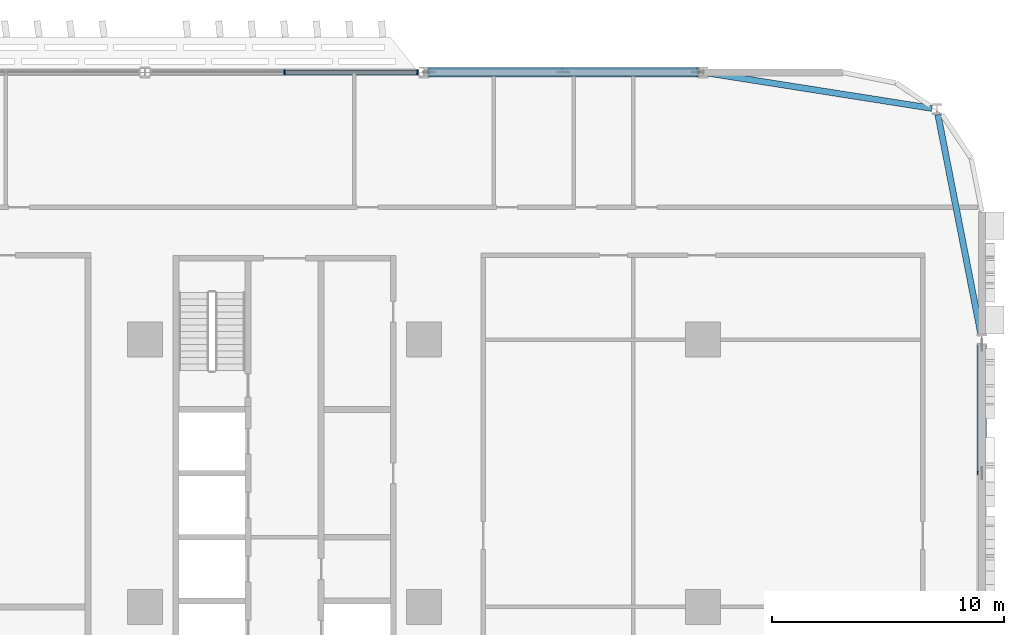
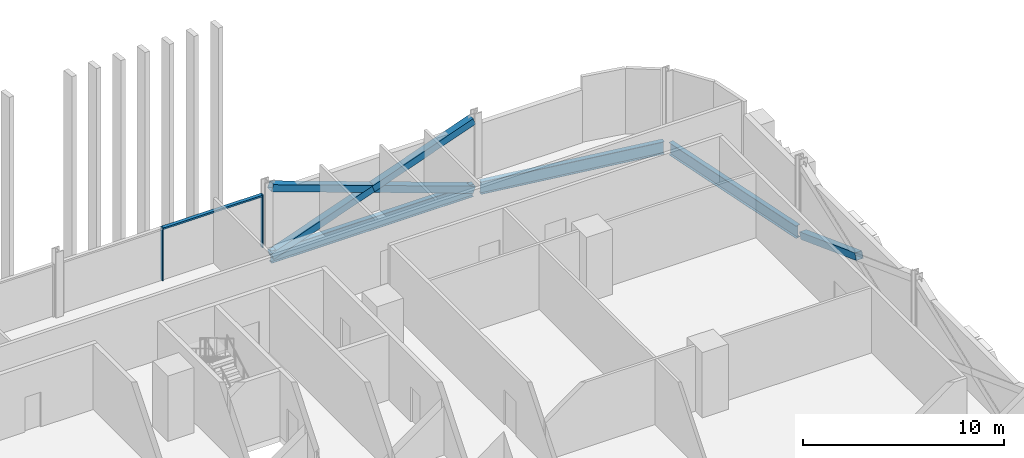
# One storey, part 10 of 29: 7 members, 3 beams, 1 element without a shape of its own.
"""IFC4 building model written with IfcOpenShell, lengths in metres."""

from ifc_helpers import new_model, si_unit, direction, frame, origin, origin_2d, place, context, subcontext, project, spatial, rectangle, hollow_rectangle, i_section, extrude, material, material_profile, profile_set, type_object, element, aggregate, save


model = new_model("IFC4")

# Units and contexts
model_context = context("Model", 3, precision=1e-05, world=origin(), true_north=direction((0.0, 1.0)))
body_context = subcontext(model_context, "Body", "Model", "MODEL_VIEW")
ifc_project = project(units=[si_unit("LENGTHUNIT", "METRE"), si_unit("AREAUNIT", "SQUARE_METRE"), si_unit("VOLUMEUNIT", "CUBIC_METRE"), si_unit("PLANEANGLEUNIT", "RADIAN"), si_unit("MASSUNIT", "GRAM", prefix="KILO")], contexts=[model_context])

# Site, building, storey
site_placement = place(None, origin())
site = spatial("IfcSite", under=ifc_project, at=site_placement, CompositionType="ELEMENT")
building_placement = place(site_placement, origin())
building = spatial("IfcBuilding", under=site, at=building_placement, Name="Mahtab Terrace Research Tower", CompositionType="ELEMENT")
storey_placement = place(building_placement, frame((0.0, 0.0, 63.199951171875)))
storey = spatial("IfcBuildingStorey", under=building, at=storey_placement, Name="L14", CompositionType="ELEMENT", Elevation=63.199951171875)

# Members
ifc_material_1 = material(Name="Steel ASTM A500 Gr C", Category="steel")
ifc_material_profile_1 = material_profile(ifc_material_1, hollow_rectangle(XDim=0.406494140625, YDim=0.406494140625, WallThickness=0.01904296875, at=origin_2d()), Name="HSS16X16X3/4")
ifc_profile_set_1 = profile_set([ifc_material_profile_1], Name="Steel ASTM A500 Gr C")
member_type_1 = type_object("IfcMemberType", Name="HSS 16x16x3/4 brace XB161634", PredefinedType="BRACE", material=ifc_profile_set_1)
member_1_placement = place(storey_placement, frame((41.787841796875, 23.0, -0.642333984375), z_axis=(-0.941386519928, 0.0, 0.337329838731), x_axis=(0.0, -1.0, 0.0)))
element("IfcMember", 1, at=member_1_placement, inside=storey, type_object=member_type_1, Name="Exoskeleton brace L14 02 a", PredefinedType="BRACE", context=body_context, shape_type="SweptSolid", body=[
    extrude(hollow_rectangle(XDim=0.406494140625, YDim=0.406494140625, WallThickness=0.01904296875, at=origin_2d()), origin(), (0.0, 0.0, 1.0), 12.29638671875),
])
for number, where, z_axis, x_axis, name in (
    (2, (30.212158203125, 23.0, -0.642333984375), (0.941386519928, 0.0, 0.337329838731), (0.0, 1.0, 0.0), "Exoskeleton brace L14 02 b1"),
    (3, (36.0, 23.0, 1.431640625), (0.941386519928, 0.0, 0.337329838731), (0.0, 1.0, 0.0), "Exoskeleton brace L14 02 b2"),
):
    element("IfcMember", number, at=place(storey_placement, frame(where, z_axis=z_axis, x_axis=x_axis)), inside=storey, type_object=member_type_1, Name=name, PredefinedType="BRACE", context=body_context, shape_type="SweptSolid", body=[
        extrude(hollow_rectangle(XDim=0.406494140625, YDim=0.406494140625, WallThickness=0.01904296875, at=origin_2d()), origin(), (0.0, 0.0, 1.0), 6.148193359375),
    ])
member_2_placement = place(storey_placement, frame((54.0, 11.262451171875, -0.629638671875), z_axis=(0.0, -0.936657793787, 0.350245881259), x_axis=(1.0, 0.0, 0.0)))
element("IfcMember", 4, at=member_2_placement, inside=storey, type_object=member_type_1, Name="Exoskeleton brace L14 23 b1", PredefinedType="BRACE", context=body_context, shape_type="SweptSolid", body=[
    extrude(hollow_rectangle(XDim=0.406494140625, YDim=0.406494140625, WallThickness=0.01904296875, at=origin_2d()), origin(), (0.0, 0.0, 1.0), 5.88525390625),
])

# Curtain wall, members
ifc_material_2 = material(Name="Laboratory ribbon curtain wall")
curtain_wall_type = type_object("IfcCurtainWallType", Name="Laboratory ribbon curtain wall", PredefinedType="NOTDEFINED", material=ifc_material_2)
curtain_wall_placement = place(storey_placement, origin())
curtain_wall = element("IfcCurtainWall", 5, at=curtain_wall_placement, inside=storey, type_object=curtain_wall_type, Name="EN.L14.3.5", PredefinedType="NOTDEFINED")
ifc_material_3 = material(Name="Natural anodised aluminium", Category="aluminium")
ifc_material_profile_2 = material_profile(ifc_material_3, rectangle(XDim=0.199951171875, YDim=0.06494140625, at=origin_2d()), Name="MULLION 65x200")
ifc_profile_set_2 = profile_set([ifc_material_profile_2], Name="Natural anodised aluminium")
member_type_2 = type_object("IfcMemberType", Name="Laboratory ribbon curtain wall mullion", PredefinedType="MULLION", material=ifc_profile_set_2)
member_3_placement = place(storey_placement, frame((29.7294921875, 23.0, 0.0), z_axis=(0.0, 0.0, 1.0), x_axis=(0.0, -1.0, 0.0)))
member_3 = element("IfcMember", 6, at=member_3_placement, type_object=member_type_2, Name="CWL-2 mullion 1", PredefinedType="MULLION", context=body_context, shape_type="SweptSolid", body=[
    extrude(rectangle(XDim=0.199951171875, YDim=0.06494140625, at=origin_2d()), origin(), (0.0, 0.0, 1.0), 3.203125),
])
member_4_placement = place(storey_placement, frame((24.0, 23.0, 0.0), z_axis=(0.0, 0.0, 1.0), x_axis=(0.0, -1.0, 0.0)))
member_4 = element("IfcMember", 7, at=member_4_placement, type_object=member_type_2, Name="CWL-2 mullion 2", PredefinedType="MULLION", context=body_context, shape_type="SweptSolid", body=[
    extrude(rectangle(XDim=0.199951171875, YDim=0.06494140625, at=origin_2d()), origin(), (0.0, 0.0, 1.0), 3.203125),
])
ifc_material_profile_3 = material_profile(ifc_material_3, rectangle(XDim=0.199951171875, YDim=0.10009765625, at=origin_2d()), Name="TRANSOM 100x200")
ifc_profile_set_3 = profile_set([ifc_material_profile_3], Name="Natural anodised aluminium")
member_type_3 = type_object("IfcMemberType", Name="Laboratory ribbon curtain wall transom", PredefinedType="USERDEFINED", material=ifc_profile_set_3)
member_5_placement = place(storey_placement, frame((29.697021484375, 23.0, 3.153076171875), z_axis=(-1.0, 0.0, 0.0), x_axis=(0.0, -1.0, 0.0)))
member_5 = element("IfcMember", 8, at=member_5_placement, type_object=member_type_3, Name="CWL-2 transom 1", ObjectType="TRANSOM", PredefinedType="USERDEFINED", context=body_context, shape_type="SweptSolid", body=[
    extrude(rectangle(XDim=0.199951171875, YDim=0.10009765625, at=origin_2d()), origin(), (0.0, 0.0, 1.0), 5.66455078125),
])
aggregate(curtain_wall, [member_3, member_4, member_5])

# Beams
ifc_material_4 = material(Name="Steel ASTM A992 Gr 50", Category="steel")
ifc_material_profile_4 = material_profile(ifc_material_4, i_section(OverallWidth=0.2666015625, OverallDepth=0.7568359375, WebThickness=0.013916015625, FlangeThickness=0.019287109375, at=origin_2d()), Name="W30X108")
ifc_profile_set_4 = profile_set([ifc_material_profile_4], Name="Steel ASTM A992 Gr 50")
beam_type = type_object("IfcBeamType", Name="W30x108 beam BS30108", PredefinedType="BEAM", material=ifc_profile_set_4)
beam_1_placement = place(storey_placement, frame((51.849853515625, 21.449462890625, -0.718505859375), z_axis=(-0.987836303792, 0.155497385545, 0.0), x_axis=(-0.155497385545, -0.987836303792, 0.0)))
element("IfcBeam", 9, at=beam_1_placement, inside=storey, type_object=beam_type, Name="Spandrel beam L14 01", PredefinedType="BEAM", context=body_context, shape_type="SweptSolid", body=[
    extrude(i_section(OverallWidth=0.2666015625, OverallDepth=0.7568359375, WebThickness=0.013916015625, FlangeThickness=0.019287109375, at=origin_2d()), origin(), (0.0, 0.0, 1.0), 9.75634765625),
])
beam_2_placement = place(storey_placement, frame((41.787841796875, 23.0, -0.718505859375), z_axis=(-1.0, 0.0, 0.0), x_axis=(0.0, -1.0, 0.0)))
element("IfcBeam", 10, at=beam_2_placement, inside=storey, type_object=beam_type, Name="Spandrel beam L14 02", PredefinedType="BEAM", context=body_context, shape_type="SweptSolid", body=[
    extrude(i_section(OverallWidth=0.2666015625, OverallDepth=0.7568359375, WebThickness=0.013916015625, FlangeThickness=0.019287109375, at=origin_2d()), origin(), (0.0, 0.0, 1.0), 11.57568359375),
])
beam_3_placement = place(storey_placement, frame((53.95361328125, 11.737548828125, -0.718505859375), z_axis=(-0.191819239661, 0.981430272254, 0.0), x_axis=(-0.981430272254, -0.191819239661, 0.0)))
element("IfcBeam", 11, at=beam_3_placement, inside=storey, type_object=beam_type, Name="Spandrel beam L14 24", PredefinedType="BEAM", context=body_context, shape_type="SweptSolid", body=[
    extrude(i_section(OverallWidth=0.2666015625, OverallDepth=0.7568359375, WebThickness=0.013916015625, FlangeThickness=0.019287109375, at=origin_2d()), origin(), (0.0, 0.0, 1.0), 9.61962890625),
])

save(model, "model.ifc")
